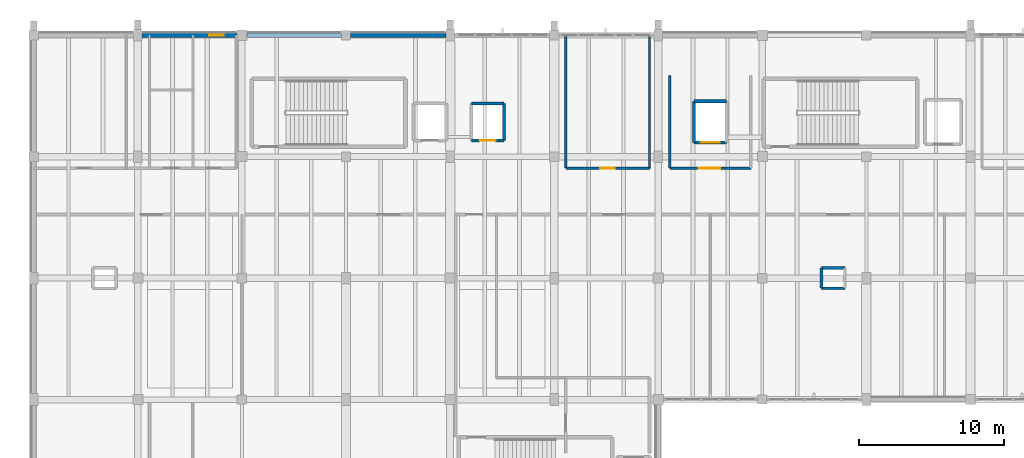
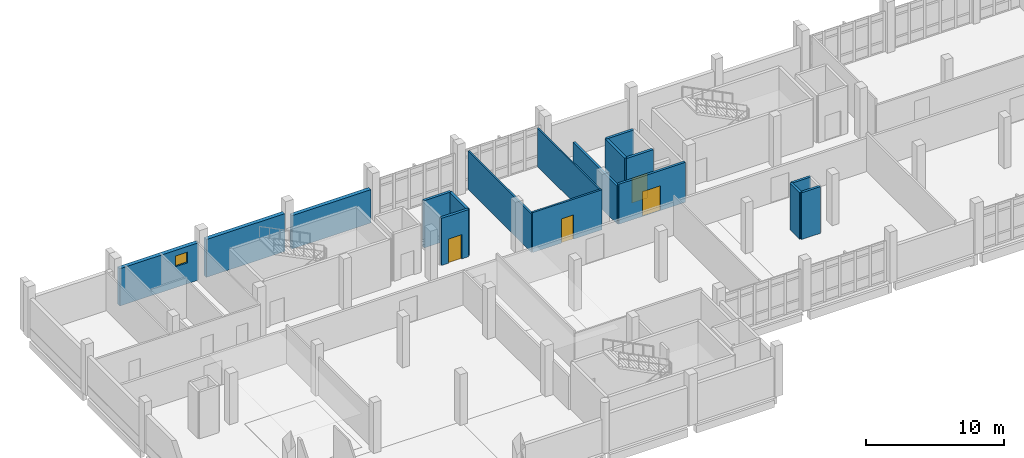
# One storey, part 49 of 57: 17 walls, 4 doors, 1 window, 5 openings.
"""IFC4 building model written with IfcOpenShell, lengths in metres."""

from ifc_helpers import new_model, si_unit, direction, frame, frame_2d, origin, place, context, subcontext, project, spatial, rectangle, extrude, material, layer, layer_set, type_object, element, fill, save


model = new_model("IFC4")

# Units and contexts
model_context = context("Model", 3, precision=1e-05, world=origin(), true_north=direction((0.0, 1.0)))
body_context = subcontext(model_context, "Body", "Model", "MODEL_VIEW")
ifc_project = project(units=[si_unit("LENGTHUNIT", "METRE"), si_unit("AREAUNIT", "SQUARE_METRE"), si_unit("VOLUMEUNIT", "CUBIC_METRE"), si_unit("PLANEANGLEUNIT", "RADIAN"), si_unit("MASSUNIT", "GRAM", prefix="KILO")], contexts=[model_context])

# Site, building, storey
site_placement = place(None, origin())
site = spatial("IfcSite", under=ifc_project, at=site_placement, CompositionType="ELEMENT")
building_placement = place(site_placement, origin())
building = spatial("IfcBuilding", under=site, at=building_placement, Name="Kalluvel Institute of Natural Sciences", CompositionType="ELEMENT")
storey_placement = place(building_placement, frame((0.0, 0.0, 23.39990234375)))
storey = spatial("IfcBuildingStorey", under=building, at=storey_placement, Name="L05", CompositionType="ELEMENT", Elevation=23.39990234375)

# Wall, opening, window
ifc_material_1 = material(Name="Sadarahalli Grey Granite Ashlar Concrete M40", Category="masonry")
ifc_layer_1 = layer(ifc_material_1, 0.320068359375)
ifc_layer_set_1 = layer_set([ifc_layer_1], Name="Sadarahalli Grey Granite Ashlar Concrete M40")
wall_type_1 = type_object("IfcWallType", Name="WL-EXT-320", PredefinedType="SOLIDWALL", material=ifc_layer_set_1)
wall_1_placement = place(storey_placement, frame((21.47998046875, 128.0, 0.0), z_axis=(0.0, 0.0, 1.0), x_axis=(1.0, 0.0, 0.0)))
wall_1 = element("IfcWall", 1, at=wall_1_placement, inside=storey, type_object=wall_type_1, Name="L05 Sadarahalli granite exterior wall WL-EXT-L05-0063", PredefinedType="SOLIDWALL", context=body_context, shape_type="SweptSolid", body=[
    extrude(rectangle(XDim=6.590087890625, YDim=0.320068359375, at=frame_2d((3.294921875, 0.0))), origin(), (0.0, 0.0, 1.0), 3.30517578125),
])
opening_1_placement = place(wall_1_placement, frame((4.64990234375, 0.0, 1.85009765625)))
opening_1 = element("IfcOpeningElement", 2, at=opening_1_placement, cuts=wall_1, Name="Opening W-23", PredefinedType="OPENING", context=body_context, shape_type="SweptSolid", body=[
    extrude(rectangle(XDim=1.0, YDim=0.949951171875, at=frame_2d((0.5, 0.47509765625))), frame((0.0, 0.169921875, 0.0), z_axis=(0.0, -1.0, 0.0), x_axis=(1.0, 0.0, 0.0)), (0.0, 0.0, 1.0), 0.340087890625),
])
ifc_material_2 = material(Name="Solar-Control Low-E Laminated Glass", Category="glass")
window_type = type_object("IfcWindowType", Name="WN-HIGH-100x095", PartitioningType="SINGLE_PANEL", PredefinedType="WINDOW", material=ifc_material_2)
window_placement = place(opening_1_placement, origin())
window = element("IfcWindow", 3, at=window_placement, inside=storey, type_object=window_type, Name="L05 Gothic lancet window 19", OverallHeight=0.949951171875, OverallWidth=1.0, PartitioningType="SINGLE_PANEL", PredefinedType="WINDOW", context=body_context, shape_type="SweptSolid", body=[
    extrude(rectangle(XDim=1.0, YDim=0.949951171875, at=frame_2d((0.5, 0.47509765625))), frame((0.0, 0.030029296875, 0.0), z_axis=(0.0, -1.0, 0.0), x_axis=(1.0, 0.0, 0.0)), (0.0, 0.0, 1.0), 0.06005859375),
])
fill(opening_1, window)

# Walls
wall_2_placement = place(storey_placement, frame((28.72998046875, 128.0, 0.0), z_axis=(0.0, 0.0, 1.0), x_axis=(1.0, 0.0, 0.0)))
element("IfcWall", 4, at=wall_2_placement, inside=storey, type_object=wall_type_1, Name="L05 Sadarahalli granite exterior wall WL-EXT-L05-0064", PredefinedType="SOLIDWALL", context=body_context, shape_type="SweptSolid", body=[
    extrude(rectangle(XDim=6.56494140625, YDim=0.320068359375, at=frame_2d((3.282470703125, 0.0))), origin(), (0.0, 0.0, 1.0), 3.35498046875),
])
wall_3_placement = place(storey_placement, frame((35.905029296875, 128.0, 0.0), z_axis=(0.0, 0.0, 1.0), x_axis=(1.0, 0.0, 0.0)))
element("IfcWall", 5, at=wall_3_placement, inside=storey, type_object=wall_type_1, Name="L05 Sadarahalli granite exterior wall WL-EXT-L05-0065", PredefinedType="SOLIDWALL", context=body_context, shape_type="SweptSolid", body=[
    extrude(rectangle(XDim=6.614990234375, YDim=0.320068359375, at=frame_2d((3.3076171875, 0.0))), origin(), (0.0, 0.0, 1.0), 2.955078125),
])
ifc_material_3 = material(Name="Autoclaved Aerated Concrete Masonry Block", Category="masonry")
ifc_layer_2 = layer(ifc_material_3, 0.179931640625)
ifc_layer_set_2 = layer_set([ifc_layer_2], Name="Autoclaved Aerated Concrete Masonry Block")
wall_type_2 = type_object("IfcWallType", Name="WL-FIRE-180", PredefinedType="SOLIDWALL", material=ifc_layer_set_2)
wall_4_placement = place(storey_placement, frame((58.0, 118.800048828125, 0.0), z_axis=(0.0, 0.0, 1.0), x_axis=(0.0, 1.0, 0.0)))
element("IfcWall", 6, at=wall_4_placement, inside=storey, type_object=wall_type_2, Name="L05 interior fire wall WL-INT-L05-0241", PredefinedType="SOLIDWALL", context=body_context, shape_type="SweptSolid", body=[
    extrude(rectangle(XDim=6.39990234375, YDim=0.179931640625, at=frame_2d((3.199951171875, 0.0))), origin(), (0.0, 0.0, 1.0), 3.360107421875),
])

# Wall, opening, door
ifc_layer_3 = layer(ifc_material_3, 0.199951171875)
ifc_layer_set_3 = layer_set([ifc_layer_3], Name="Autoclaved Aerated Concrete Masonry Block")
wall_type_3 = type_object("IfcWallType", Name="WL-FIRE-200", PredefinedType="SOLIDWALL", material=ifc_layer_set_3)
wall_5_placement = place(storey_placement, frame((58.0, 118.800048828125, 0.0), z_axis=(0.0, 0.0, 1.0), x_axis=(1.0, 0.0, 0.0)))
wall_5 = element("IfcWall", 7, at=wall_5_placement, inside=storey, type_object=wall_type_3, Name="L05 interior fire wall WL-INT-L05-0240", PredefinedType="SOLIDWALL", context=body_context, shape_type="SweptSolid", body=[
    extrude(rectangle(XDim=5.60009765625, YDim=0.199951171875, at=frame_2d((2.800048828125, 0.0))), origin(), (0.0, 0.0, 1.0), 3.5400390625),
])
opening_2_placement = place(wall_5_placement, frame((2.0, 0.0, 0.0)))
opening_2 = element("IfcOpeningElement", 8, at=opening_2_placement, cuts=wall_5, Name="Opening D-192", PredefinedType="OPENING", context=body_context, shape_type="SweptSolid", body=[
    extrude(rectangle(XDim=1.5, YDim=2.199951171875, at=frame_2d((0.75, 1.10009765625))), frame((0.0, 0.10986328125, 0.0), z_axis=(0.0, -1.0, 0.0), x_axis=(1.0, 0.0, 0.0)), (0.0, 0.0, 1.0), 0.219970703125),
])
ifc_material_4 = material(Name="Galvanized Fire-Rated Steel", Category="steel")
door_type_1 = type_object("IfcDoorType", Name="DR-FD60-1500", OperationType="NOTDEFINED", PredefinedType="DOOR", material=ifc_material_4)
door_1_placement = place(opening_2_placement, origin())
door_1 = element("IfcDoor", 9, at=door_1_placement, inside=storey, type_object=door_type_1, Name="L05 FF1 door D-192", OperationType="DOUBLE_DOOR_SINGLE_SWING", OverallHeight=2.199951171875, OverallWidth=1.5, PredefinedType="DOOR", context=body_context, shape_type="SweptSolid", body=[
    extrude(rectangle(XDim=1.5, YDim=2.199951171875, at=frame_2d((0.75, 1.10009765625))), frame((0.0, 0.02490234375, 0.0), z_axis=(0.0, -1.0, 0.0), x_axis=(1.0, 0.0, 0.0)), (0.0, 0.0, 1.0), 0.050048828125),
])
fill(opening_2, door_1)

# Walls
ifc_material_5 = material(Name="Acoustic Gypsum Twin-Stud Partition", Category="gypsum")
ifc_layer_4 = layer(ifc_material_5, 0.1201171875)
ifc_layer_set_4 = layer_set([ifc_layer_4], Name="Acoustic Gypsum Twin-Stud Partition")
wall_type_4 = type_object("IfcWallType", Name="WL-PART-120", PredefinedType="PARTITIONING", material=ifc_layer_set_4)
wall_6_placement = place(storey_placement, frame((56.60009765625, 118.800048828125, 0.0), z_axis=(0.0, 0.0, 1.0), x_axis=(0.0, 1.0, 0.0)))
element("IfcWall", 10, at=wall_6_placement, inside=storey, type_object=wall_type_4, Name="L05 interior partition wall WL-INT-L05-0257", PredefinedType="PARTITIONING", context=body_context, shape_type="SweptSolid", body=[
    extrude(rectangle(XDim=9.199951171875, YDim=0.1201171875, at=frame_2d((4.60009765625, 0.0))), origin(), (0.0, 0.0, 1.0), 3.41015625),
])
ifc_layer_5 = layer(ifc_material_5, 0.139892578125)
ifc_layer_set_5 = layer_set([ifc_layer_5], Name="Acoustic Gypsum Twin-Stud Partition")
wall_type_5 = type_object("IfcWallType", Name="WL-PART-140", PredefinedType="PARTITIONING", material=ifc_layer_set_5)
wall_7_placement = place(storey_placement, frame((50.800048828125, 118.800048828125, 0.0), z_axis=(0.0, 0.0, 1.0), x_axis=(0.0, 1.0, 0.0)))
element("IfcWall", 11, at=wall_7_placement, inside=storey, type_object=wall_type_5, Name="L05 interior partition wall WL-INT-L05-0256", PredefinedType="PARTITIONING", context=body_context, shape_type="SweptSolid", body=[
    extrude(rectangle(XDim=9.199951171875, YDim=0.139892578125, at=frame_2d((4.60009765625, 0.0))), origin(), (0.0, 0.0, 1.0), 3.41015625),
])

# Wall, opening, door
ifc_layer_6 = layer(ifc_material_3, 0.159912109375)
ifc_layer_set_6 = layer_set([ifc_layer_6], Name="Autoclaved Aerated Concrete Masonry Block")
wall_type_6 = type_object("IfcWallType", Name="WL-PART-160", PredefinedType="PARTITIONING", material=ifc_layer_set_6)
wall_8_placement = place(storey_placement, frame((50.800048828125, 118.800048828125, 0.0), z_axis=(0.0, 0.0, 1.0), x_axis=(1.0, 0.0, 0.0)))
wall_8 = element("IfcWall", 12, at=wall_8_placement, inside=storey, type_object=wall_type_6, Name="L05 interior partition wall WL-INT-L05-0255", PredefinedType="PARTITIONING", context=body_context, shape_type="SweptSolid", body=[
    extrude(rectangle(XDim=5.800048828125, YDim=0.159912109375, at=frame_2d((2.89990234375, 0.0))), origin(), (0.0, 0.0, 1.0), 3.5400390625),
])
opening_3_placement = place(wall_8_placement, frame((2.39990234375, 0.0, 0.0)))
opening_3 = element("IfcOpeningElement", 13, at=opening_3_placement, cuts=wall_8, Name="Opening D-197", PredefinedType="OPENING", context=body_context, shape_type="SweptSolid", body=[
    extrude(rectangle(XDim=1.0, YDim=2.14990234375, at=frame_2d((0.5, 1.074951171875))), frame((0.0, 0.08984375, 0.0), z_axis=(0.0, -1.0, 0.0), x_axis=(1.0, 0.0, 0.0)), (0.0, 0.0, 1.0), 0.179931640625),
])
ifc_material_6 = material(Name="Engineered Hardwood Acoustic Leaf", Category="wood")
door_type_2 = type_object("IfcDoorType", Name="DR-INT-1000", OperationType="NOTDEFINED", PredefinedType="DOOR", material=ifc_material_6)
door_2_placement = place(opening_3_placement, origin())
door_2 = element("IfcDoor", 14, at=door_2_placement, inside=storey, type_object=door_type_2, Name="L05 North Write-Up door D-197", OperationType="SINGLE_SWING_RIGHT", OverallHeight=2.14990234375, OverallWidth=1.0, PredefinedType="DOOR", context=body_context, shape_type="SweptSolid", body=[
    extrude(rectangle(XDim=1.0, YDim=2.14990234375, at=frame_2d((0.5, 1.074951171875))), frame((0.0, 0.02490234375, 0.0), z_axis=(0.0, -1.0, 0.0), x_axis=(1.0, 0.0, 0.0)), (0.0, 0.0, 1.0), 0.050048828125),
])
fill(opening_3, door_2)

# Walls
ifc_material_7 = material(Name="Concrete M40", Category="concrete")
ifc_layer_7 = layer(ifc_material_7, 0.199951171875)
ifc_layer_set_7 = layer_set([ifc_layer_7], Name="Concrete M40")
wall_type_7 = type_object("IfcWallType", Name="WL-RISER-200", PredefinedType="SHEAR", material=ifc_layer_set_7)
for number, where, z_axis, x_axis, name in (
    (15, (68.5, 110.5, 0.0), (0.0, 0.0, 1.0), (1.0, 0.0, 0.0), "RS-WET-E L05 service riser enclosure S"),
    (16, (70.10009765625, 111.89990234375, 0.0), (0.0, 0.0, 1.0), (-1.0, 0.0, 0.0), "RS-WET-E L05 service riser enclosure N"),
):
    element("IfcWall", number, at=place(storey_placement, frame(where, z_axis=z_axis, x_axis=x_axis)), inside=storey, type_object=wall_type_7, Name=name, PredefinedType="SHEAR", context=body_context, shape_type="SweptSolid", body=[
        extrude(rectangle(XDim=1.60009765625, YDim=0.199951171875, at=frame_2d((0.800048828125, 0.0))), origin(), (0.0, 0.0, 1.0), 4.14013671875),
    ])
wall_9_placement = place(storey_placement, frame((68.5, 111.89990234375, 0.0), z_axis=(0.0, 0.0, 1.0), x_axis=(0.0, -1.0, 0.0)))
element("IfcWall", 17, at=wall_9_placement, inside=storey, type_object=wall_type_7, Name="RS-WET-E L05 service riser enclosure W", PredefinedType="SHEAR", context=body_context, shape_type="SweptSolid", body=[
    extrude(rectangle(XDim=1.39990234375, YDim=0.199951171875, at=frame_2d((0.699951171875, 0.0))), origin(), (0.0, 0.0, 1.0), 4.14013671875),
])

# Wall, opening, door
ifc_layer_8 = layer(ifc_material_7, 0.219970703125)
ifc_layer_set_8 = layer_set([ifc_layer_8], Name="Concrete M40")
wall_type_8 = type_object("IfcWallType", Name="WL-SHAFT-220", PredefinedType="SHEAR", material=ifc_layer_set_8)
wall_10_placement = place(storey_placement, frame((44.27001953125, 120.719970703125, 0.0), z_axis=(0.0, 0.0, 1.0), x_axis=(1.0, 0.0, 0.0)))
wall_10 = element("IfcWall", 18, at=wall_10_placement, inside=storey, type_object=wall_type_8, Name="LF2 L05 lift shaft wall", PredefinedType="SHEAR", context=body_context, shape_type="SweptSolid", body=[
    extrude(rectangle(XDim=2.260009765625, YDim=0.219970703125, at=frame_2d((1.1298828125, 0.0))), origin(), (0.0, 0.0, 1.0), 4.175048828125),
])
opening_4_placement = place(wall_10_placement, frame((0.580078125, 0.0, 0.0)))
opening_4 = element("IfcOpeningElement", 19, at=opening_4_placement, cuts=wall_10, Name="Opening LD-017", PredefinedType="OPENING", context=body_context, shape_type="SweptSolid", body=[
    extrude(rectangle(XDim=1.10009765625, YDim=2.14990234375, at=frame_2d((0.550048828125, 1.074951171875))), frame((0.0, 0.119873046875, 0.0), z_axis=(0.0, -1.0, 0.0), x_axis=(1.0, 0.0, 0.0)), (0.0, 0.0, 1.0), 0.239990234375),
])
door_type_3 = type_object("IfcDoorType", Name="DR-LD-1100", OperationType="NOTDEFINED", PredefinedType="DOOR", material=ifc_material_4)
door_3_placement = place(opening_4_placement, origin())
door_3 = element("IfcDoor", 20, at=door_3_placement, inside=storey, type_object=door_type_3, Name="LF2 L05 sliding lift landing door LD-017", OperationType="DOUBLE_DOOR_SLIDING", OverallHeight=2.14990234375, OverallWidth=1.10009765625, PredefinedType="DOOR", context=body_context, shape_type="SweptSolid", body=[
    extrude(rectangle(XDim=1.10009765625, YDim=2.14990234375, at=frame_2d((0.550048828125, 1.074951171875))), frame((0.0, 0.02490234375, 0.0), z_axis=(0.0, -1.0, 0.0), x_axis=(1.0, 0.0, 0.0)), (0.0, 0.0, 1.0), 0.050048828125),
])
fill(opening_4, door_3)

# Walls
wall_11_placement = place(storey_placement, frame((46.530029296875, 120.719970703125, 0.0), z_axis=(0.0, 0.0, 1.0), x_axis=(0.0, 1.0, 0.0)))
element("IfcWall", 21, at=wall_11_placement, inside=storey, type_object=wall_type_8, Name="LF2 L05 lift shaft wall", PredefinedType="SHEAR", context=body_context, shape_type="SweptSolid", body=[
    extrude(rectangle(XDim=2.56005859375, YDim=0.219970703125, at=frame_2d((1.280029296875, 0.0))), origin(), (0.0, 0.0, 1.0), 4.175048828125),
])
wall_12_placement = place(storey_placement, frame((46.530029296875, 123.280029296875, 0.0), z_axis=(0.0, 0.0, 1.0), x_axis=(-1.0, 0.0, 0.0)))
element("IfcWall", 22, at=wall_12_placement, inside=storey, type_object=wall_type_8, Name="LF2 L05 lift shaft wall", PredefinedType="SHEAR", context=body_context, shape_type="SweptSolid", body=[
    extrude(rectangle(XDim=2.260009765625, YDim=0.219970703125, at=frame_2d((1.1298828125, 0.0))), origin(), (0.0, 0.0, 1.0), 4.175048828125),
])

# Wall, opening, door
wall_13_placement = place(storey_placement, frame((59.669921875, 120.570068359375, 0.0), z_axis=(0.0, 0.0, 1.0), x_axis=(1.0, 0.0, 0.0)))
wall_13 = element("IfcWall", 23, at=wall_13_placement, inside=storey, type_object=wall_type_8, Name="LF3 L05 lift shaft wall", PredefinedType="SHEAR", context=body_context, shape_type="SweptSolid", body=[
    extrude(rectangle(XDim=2.260009765625, YDim=0.219970703125, at=frame_2d((1.1298828125, 0.0))), origin(), (0.0, 0.0, 1.0), 4.175048828125),
])
opening_5_placement = place(wall_13_placement, frame((0.47998046875, 0.0, 0.0)))
opening_5 = element("IfcOpeningElement", 24, at=opening_5_placement, cuts=wall_13, Name="Opening LD-027", PredefinedType="OPENING", context=body_context, shape_type="SweptSolid", body=[
    extrude(rectangle(XDim=1.300048828125, YDim=2.199951171875, at=frame_2d((0.64990234375, 1.10009765625))), frame((0.0, 0.119873046875, 0.0), z_axis=(0.0, -1.0, 0.0), x_axis=(1.0, 0.0, 0.0)), (0.0, 0.0, 1.0), 0.239990234375),
])
door_type_4 = type_object("IfcDoorType", Name="DR-LD-1300", OperationType="NOTDEFINED", PredefinedType="DOOR", material=ifc_material_4)
door_4_placement = place(opening_5_placement, origin())
door_4 = element("IfcDoor", 25, at=door_4_placement, inside=storey, type_object=door_type_4, Name="LF3 L05 sliding lift landing door LD-027", OperationType="DOUBLE_DOOR_SLIDING", OverallHeight=2.199951171875, OverallWidth=1.300048828125, PredefinedType="DOOR", context=body_context, shape_type="SweptSolid", body=[
    extrude(rectangle(XDim=1.300048828125, YDim=2.199951171875, at=frame_2d((0.64990234375, 1.10009765625))), frame((0.0, 0.02490234375, 0.0), z_axis=(0.0, -1.0, 0.0), x_axis=(1.0, 0.0, 0.0)), (0.0, 0.0, 1.0), 0.050048828125),
])
fill(opening_5, door_4)

# Walls
wall_14_placement = place(storey_placement, frame((61.929931640625, 123.429931640625, 0.0), z_axis=(0.0, 0.0, 1.0), x_axis=(-1.0, 0.0, 0.0)))
element("IfcWall", 26, at=wall_14_placement, inside=storey, type_object=wall_type_8, Name="LF3 L05 lift shaft wall", PredefinedType="SHEAR", context=body_context, shape_type="SweptSolid", body=[
    extrude(rectangle(XDim=2.260009765625, YDim=0.219970703125, at=frame_2d((1.1298828125, 0.0))), origin(), (0.0, 0.0, 1.0), 4.175048828125),
])
wall_15_placement = place(storey_placement, frame((59.669921875, 123.429931640625, 0.0), z_axis=(0.0, 0.0, 1.0), x_axis=(0.0, -1.0, 0.0)))
element("IfcWall", 27, at=wall_15_placement, inside=storey, type_object=wall_type_8, Name="LF3 L05 lift shaft wall", PredefinedType="SHEAR", context=body_context, shape_type="SweptSolid", body=[
    extrude(rectangle(XDim=2.85986328125, YDim=0.219970703125, at=frame_2d((1.429931640625, 0.0))), origin(), (0.0, 0.0, 1.0), 4.175048828125),
])

save(model, "model.ifc")
